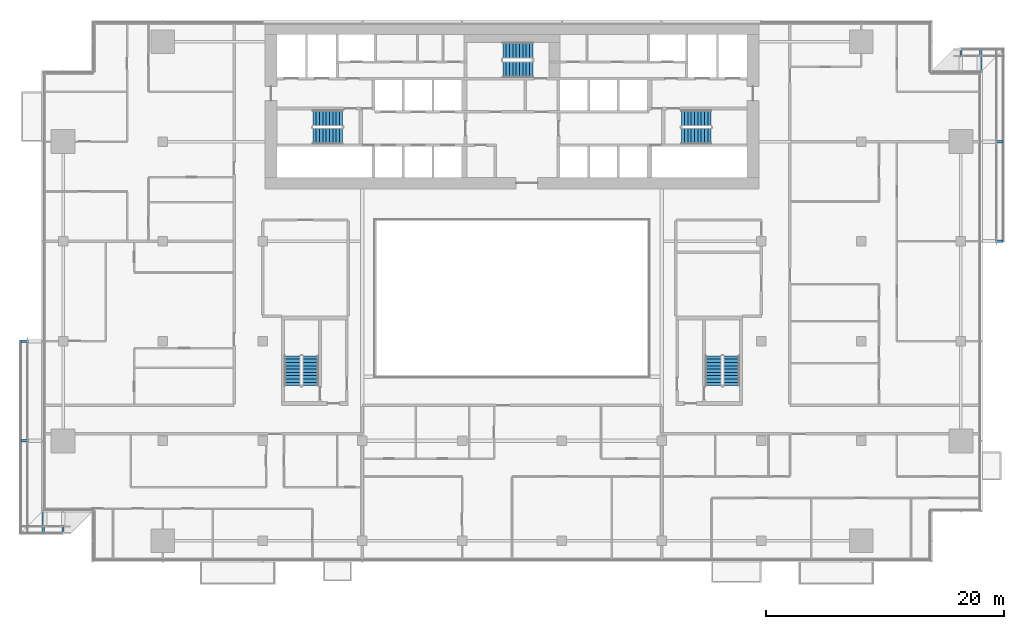
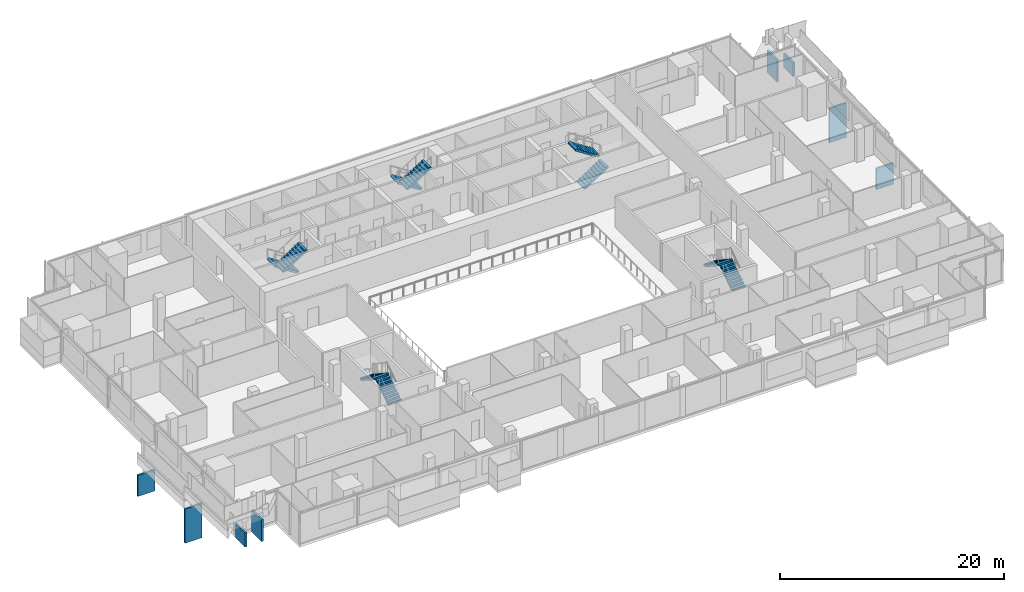
# One storey, part 25 of 29: 10 stair flights, 8 discrete accessories, 5 elements without a shape of their own.
"""IFC4 building model written with IfcOpenShell, lengths in metres."""

from ifc_helpers import new_model, si_unit, direction, frame, origin, origin_2d, place, context, subcontext, project, spatial, polyline, rectangle, outline, extrude, material, type_object, element, aggregate, save


model = new_model("IFC4")

# Units and contexts
model_context = context("Model", 3, precision=1e-05, world=origin(), true_north=direction((0.0, 1.0)))
body_context = subcontext(model_context, "Body", "Model", "MODEL_VIEW")
ifc_project = project(units=[si_unit("LENGTHUNIT", "METRE"), si_unit("AREAUNIT", "SQUARE_METRE"), si_unit("VOLUMEUNIT", "CUBIC_METRE"), si_unit("PLANEANGLEUNIT", "RADIAN"), si_unit("MASSUNIT", "GRAM", prefix="KILO")], contexts=[model_context])

# Site, building, storey
site_placement = place(None, origin())
site = spatial("IfcSite", under=ifc_project, at=site_placement, CompositionType="ELEMENT")
building_placement = place(site_placement, origin())
building = spatial("IfcBuilding", under=site, at=building_placement, Name="Saffron Gate Tower", CompositionType="ELEMENT")
storey_placement = place(building_placement, frame((0.0, 0.0, 113.25)))
storey = spatial("IfcBuildingStorey", under=building, at=storey_placement, Name="L26", CompositionType="ELEMENT", Elevation=113.25)

# Stair, stair flights
ifc_material = material(Name="Concrete C40", Category="concrete")
stair_type = type_object("IfcStairType", Name="ST7 Stair 1350 wide, 20 risers of 180", PredefinedType="HALF_TURN_STAIR", material=ifc_material)
stair_1_placement = place(storey_placement, origin())
stair_1 = element("IfcStair", 1, at=stair_1_placement, inside=storey, type_object=stair_type, Name="L26 Exit stair A", PredefinedType="HALF_TURN_STAIR")
stair_flight_type = type_object("IfcStairFlightType", Name="SF3 Stair flight 1350 wide, riser 180 going 280", PredefinedType="STRAIGHT", material=ifc_material)
stair_flight_1_placement = place(storey_placement, frame((73.35009765625, 67.375, 0.0), z_axis=(0.0, 0.0, 1.0), x_axis=(-1.0, 0.0, 0.0)))
stair_flight_1 = element("IfcStairFlight", 2, at=stair_flight_1_placement, type_object=stair_flight_type, Name="ST-A flight 1", NumberOfRisers=10, NumberOfTreads=9, PredefinedType="STRAIGHT", RiserHeight=0.18, TreadLength=0.28, context=body_context, shape_type="SweptSolid", body=[
    extrude(outline(polyline([(0.0, 0.0), (0.0, 0.179931640625), (0.280029296875, 0.179931640625), (0.280029296875, 0.360107421875), (0.56005859375, 0.360107421875), (0.56005859375, 0.5400390625), (0.840087890625, 0.5400390625), (0.840087890625, 0.719970703125), (1.1201171875, 0.719970703125), (1.1201171875, 0.89990234375), (1.39990234375, 0.89990234375), (1.39990234375, 1.080078125), (1.679931640625, 1.080078125), (1.679931640625, 1.260009765625), (1.9599609375, 1.260009765625), (1.9599609375, 1.43994140625), (2.239990234375, 1.43994140625), (2.239990234375, 1.6201171875), (2.52001953125, 1.6201171875), (2.52001953125, 1.800048828125), (2.52001953125, 1.44189453125), (0.277099609375, 0.0), (0.0, 0.0)])), frame((0.0, 0.675048828125, 0.0), z_axis=(0.0, -1.0, 0.0), x_axis=(1.0, 0.0, 0.0)), (0.0, 0.0, 1.0), 1.35009765625),
])
stair_flight_2_placement = place(storey_placement, frame((70.830078125, 65.875, 1.800048828125), z_axis=(0.0, 0.0, 1.0), x_axis=(1.0, 0.0, 0.0)))
stair_flight_2 = element("IfcStairFlight", 3, at=stair_flight_2_placement, type_object=stair_flight_type, Name="ST-A flight 2", NumberOfRisers=10, NumberOfTreads=9, PredefinedType="STRAIGHT", RiserHeight=0.18, TreadLength=0.28, context=body_context, shape_type="SweptSolid", body=[
    extrude(outline(polyline([(0.0, 0.0), (0.0, 0.179931640625), (0.280029296875, 0.179931640625), (0.280029296875, 0.360107421875), (0.56005859375, 0.360107421875), (0.56005859375, 0.5400390625), (0.840087890625, 0.5400390625), (0.840087890625, 0.719970703125), (1.1201171875, 0.719970703125), (1.1201171875, 0.89990234375), (1.39990234375, 0.89990234375), (1.39990234375, 1.080078125), (1.679931640625, 1.080078125), (1.679931640625, 1.260009765625), (1.9599609375, 1.260009765625), (1.9599609375, 1.43994140625), (2.239990234375, 1.43994140625), (2.239990234375, 1.6201171875), (2.52001953125, 1.6201171875), (2.52001953125, 1.800048828125), (2.52001953125, 1.44189453125), (0.277099609375, 0.0), (0.0, 0.0)])), frame((0.0, 0.675048828125, 0.0), z_axis=(0.0, -1.0, 0.0), x_axis=(1.0, 0.0, 0.0)), (0.0, 0.0, 1.0), 1.35009765625),
])
aggregate(stair_1, [stair_flight_1, stair_flight_2])

stair_2_placement = place(storey_placement, origin())
stair_2 = element("IfcStair", 4, at=stair_2_placement, inside=storey, type_object=stair_type, Name="L26 Exit stair B", PredefinedType="HALF_TURN_STAIR")
stair_flight_3_placement = place(storey_placement, frame((101.85009765625, 65.875, 0.0), z_axis=(0.0, 0.0, 1.0), x_axis=(1.0, 0.0, 0.0)))
stair_flight_3 = element("IfcStairFlight", 5, at=stair_flight_3_placement, type_object=stair_flight_type, Name="ST-B flight 1", NumberOfRisers=10, NumberOfTreads=9, PredefinedType="STRAIGHT", RiserHeight=0.18, TreadLength=0.28, context=body_context, shape_type="SweptSolid", body=[
    extrude(outline(polyline([(0.0, 0.0), (0.0, 0.179931640625), (0.280029296875, 0.179931640625), (0.280029296875, 0.360107421875), (0.56005859375, 0.360107421875), (0.56005859375, 0.5400390625), (0.840087890625, 0.5400390625), (0.840087890625, 0.719970703125), (1.1201171875, 0.719970703125), (1.1201171875, 0.89990234375), (1.39990234375, 0.89990234375), (1.39990234375, 1.080078125), (1.679931640625, 1.080078125), (1.679931640625, 1.260009765625), (1.9599609375, 1.260009765625), (1.9599609375, 1.43994140625), (2.239990234375, 1.43994140625), (2.239990234375, 1.6201171875), (2.52001953125, 1.6201171875), (2.52001953125, 1.800048828125), (2.52001953125, 1.44189453125), (0.277099609375, 0.0), (0.0, 0.0)])), frame((0.0, 0.675048828125, 0.0), z_axis=(0.0, -1.0, 0.0), x_axis=(1.0, 0.0, 0.0)), (0.0, 0.0, 1.0), 1.35009765625),
])
stair_flight_4_placement = place(storey_placement, frame((104.3701171875, 67.375, 1.800048828125), z_axis=(0.0, 0.0, 1.0), x_axis=(-1.0, 0.0, 0.0)))
stair_flight_4 = element("IfcStairFlight", 6, at=stair_flight_4_placement, type_object=stair_flight_type, Name="ST-B flight 2", NumberOfRisers=10, NumberOfTreads=9, PredefinedType="STRAIGHT", RiserHeight=0.18, TreadLength=0.28, context=body_context, shape_type="SweptSolid", body=[
    extrude(outline(polyline([(0.0, 0.0), (0.0, 0.179931640625), (0.280029296875, 0.179931640625), (0.280029296875, 0.360107421875), (0.56005859375, 0.360107421875), (0.56005859375, 0.5400390625), (0.840087890625, 0.5400390625), (0.840087890625, 0.719970703125), (1.1201171875, 0.719970703125), (1.1201171875, 0.89990234375), (1.39990234375, 0.89990234375), (1.39990234375, 1.080078125), (1.679931640625, 1.080078125), (1.679931640625, 1.260009765625), (1.9599609375, 1.260009765625), (1.9599609375, 1.43994140625), (2.239990234375, 1.43994140625), (2.239990234375, 1.6201171875), (2.52001953125, 1.6201171875), (2.52001953125, 1.800048828125), (2.52001953125, 1.44189453125), (0.277099609375, 0.0), (0.0, 0.0)])), frame((0.0, 0.675048828125, 0.0), z_axis=(0.0, -1.0, 0.0), x_axis=(1.0, 0.0, 0.0)), (0.0, 0.0, 1.0), 1.35009765625),
])
aggregate(stair_2, [stair_flight_3, stair_flight_4])

stair_3_placement = place(storey_placement, origin())
stair_3 = element("IfcStair", 7, at=stair_3_placement, inside=storey, type_object=stair_type, Name="L26 Exit stair C", PredefinedType="HALF_TURN_STAIR")
stair_flight_5_placement = place(storey_placement, frame((89.35009765625, 73.074951171875, 0.0), z_axis=(0.0, 0.0, 1.0), x_axis=(-1.0, 0.0, 0.0)))
stair_flight_5 = element("IfcStairFlight", 8, at=stair_flight_5_placement, type_object=stair_flight_type, Name="ST-C flight 1", NumberOfRisers=10, NumberOfTreads=9, PredefinedType="STRAIGHT", RiserHeight=0.18, TreadLength=0.28, context=body_context, shape_type="SweptSolid", body=[
    extrude(outline(polyline([(0.0, 0.0), (0.0, 0.179931640625), (0.280029296875, 0.179931640625), (0.280029296875, 0.360107421875), (0.56005859375, 0.360107421875), (0.56005859375, 0.5400390625), (0.840087890625, 0.5400390625), (0.840087890625, 0.719970703125), (1.1201171875, 0.719970703125), (1.1201171875, 0.89990234375), (1.39990234375, 0.89990234375), (1.39990234375, 1.080078125), (1.679931640625, 1.080078125), (1.679931640625, 1.260009765625), (1.9599609375, 1.260009765625), (1.9599609375, 1.43994140625), (2.239990234375, 1.43994140625), (2.239990234375, 1.6201171875), (2.52001953125, 1.6201171875), (2.52001953125, 1.800048828125), (2.52001953125, 1.44189453125), (0.277099609375, 0.0), (0.0, 0.0)])), frame((0.0, 0.675048828125, 0.0), z_axis=(0.0, -1.0, 0.0), x_axis=(1.0, 0.0, 0.0)), (0.0, 0.0, 1.0), 1.35009765625),
])
stair_flight_6_placement = place(storey_placement, frame((86.830078125, 71.47509765625, 1.800048828125), z_axis=(0.0, 0.0, 1.0), x_axis=(1.0, 0.0, 0.0)))
stair_flight_6 = element("IfcStairFlight", 9, at=stair_flight_6_placement, type_object=stair_flight_type, Name="ST-C flight 2", NumberOfRisers=10, NumberOfTreads=9, PredefinedType="STRAIGHT", RiserHeight=0.18, TreadLength=0.28, context=body_context, shape_type="SweptSolid", body=[
    extrude(outline(polyline([(0.0, 0.0), (0.0, 0.179931640625), (0.280029296875, 0.179931640625), (0.280029296875, 0.360107421875), (0.56005859375, 0.360107421875), (0.56005859375, 0.5400390625), (0.840087890625, 0.5400390625), (0.840087890625, 0.719970703125), (1.1201171875, 0.719970703125), (1.1201171875, 0.89990234375), (1.39990234375, 0.89990234375), (1.39990234375, 1.080078125), (1.679931640625, 1.080078125), (1.679931640625, 1.260009765625), (1.9599609375, 1.260009765625), (1.9599609375, 1.43994140625), (2.239990234375, 1.43994140625), (2.239990234375, 1.6201171875), (2.52001953125, 1.6201171875), (2.52001953125, 1.800048828125), (2.52001953125, 1.44189453125), (0.277099609375, 0.0), (0.0, 0.0)])), frame((0.0, 0.675048828125, 0.0), z_axis=(0.0, -1.0, 0.0), x_axis=(1.0, 0.0, 0.0)), (0.0, 0.0, 1.0), 1.35009765625),
])
aggregate(stair_3, [stair_flight_5, stair_flight_6])

stair_4_placement = place(storey_placement, origin())
stair_4 = element("IfcStair", 10, at=stair_4_placement, inside=storey, type_object=stair_type, Name="L26 Exit stair D", PredefinedType="HALF_TURN_STAIR")
stair_flight_7_placement = place(storey_placement, frame((70.625, 44.85009765625, 0.0), z_axis=(0.0, 0.0, 1.0), x_axis=(0.0, 1.0, 0.0)))
stair_flight_7 = element("IfcStairFlight", 11, at=stair_flight_7_placement, type_object=stair_flight_type, Name="ST-D flight 1", NumberOfRisers=10, NumberOfTreads=9, PredefinedType="STRAIGHT", RiserHeight=0.18, TreadLength=0.28, context=body_context, shape_type="SweptSolid", body=[
    extrude(outline(polyline([(0.0, 0.0), (0.0, 0.179931640625), (0.280029296875, 0.179931640625), (0.280029296875, 0.360107421875), (0.56005859375, 0.360107421875), (0.56005859375, 0.5400390625), (0.840087890625, 0.5400390625), (0.840087890625, 0.719970703125), (1.1201171875, 0.719970703125), (1.1201171875, 0.89990234375), (1.39990234375, 0.89990234375), (1.39990234375, 1.080078125), (1.679931640625, 1.080078125), (1.679931640625, 1.260009765625), (1.9599609375, 1.260009765625), (1.9599609375, 1.43994140625), (2.239990234375, 1.43994140625), (2.239990234375, 1.6201171875), (2.52001953125, 1.6201171875), (2.52001953125, 1.800048828125), (2.52001953125, 1.44189453125), (0.277099609375, 0.0), (0.0, 0.0)])), frame((0.0, 0.675048828125, 0.0), z_axis=(0.0, -1.0, 0.0), x_axis=(1.0, 0.0, 0.0)), (0.0, 0.0, 1.0), 1.35009765625),
])
stair_flight_8_placement = place(storey_placement, frame((69.125, 47.3701171875, 1.800048828125), z_axis=(0.0, 0.0, 1.0), x_axis=(0.0, -1.0, 0.0)))
stair_flight_8 = element("IfcStairFlight", 12, at=stair_flight_8_placement, type_object=stair_flight_type, Name="ST-D flight 2", NumberOfRisers=10, NumberOfTreads=9, PredefinedType="STRAIGHT", RiserHeight=0.18, TreadLength=0.28, context=body_context, shape_type="SweptSolid", body=[
    extrude(outline(polyline([(0.0, 0.0), (0.0, 0.179931640625), (0.280029296875, 0.179931640625), (0.280029296875, 0.360107421875), (0.56005859375, 0.360107421875), (0.56005859375, 0.5400390625), (0.840087890625, 0.5400390625), (0.840087890625, 0.719970703125), (1.1201171875, 0.719970703125), (1.1201171875, 0.89990234375), (1.39990234375, 0.89990234375), (1.39990234375, 1.080078125), (1.679931640625, 1.080078125), (1.679931640625, 1.260009765625), (1.9599609375, 1.260009765625), (1.9599609375, 1.43994140625), (2.239990234375, 1.43994140625), (2.239990234375, 1.6201171875), (2.52001953125, 1.6201171875), (2.52001953125, 1.800048828125), (2.52001953125, 1.44189453125), (0.277099609375, 0.0), (0.0, 0.0)])), frame((0.0, 0.675048828125, 0.0), z_axis=(0.0, -1.0, 0.0), x_axis=(1.0, 0.0, 0.0)), (0.0, 0.0, 1.0), 1.35009765625),
])
aggregate(stair_4, [stair_flight_7, stair_flight_8])

stair_5_placement = place(storey_placement, origin())
stair_5 = element("IfcStair", 13, at=stair_5_placement, inside=storey, type_object=stair_type, Name="L26 Exit stair E", PredefinedType="HALF_TURN_STAIR")
stair_flight_9_placement = place(storey_placement, frame((106.074951171875, 44.85009765625, 0.0), z_axis=(0.0, 0.0, 1.0), x_axis=(0.0, 1.0, 0.0)))
stair_flight_9 = element("IfcStairFlight", 14, at=stair_flight_9_placement, type_object=stair_flight_type, Name="ST-E flight 1", NumberOfRisers=10, NumberOfTreads=9, PredefinedType="STRAIGHT", RiserHeight=0.18, TreadLength=0.28, context=body_context, shape_type="SweptSolid", body=[
    extrude(outline(polyline([(0.0, 0.0), (0.0, 0.179931640625), (0.280029296875, 0.179931640625), (0.280029296875, 0.360107421875), (0.56005859375, 0.360107421875), (0.56005859375, 0.5400390625), (0.840087890625, 0.5400390625), (0.840087890625, 0.719970703125), (1.1201171875, 0.719970703125), (1.1201171875, 0.89990234375), (1.39990234375, 0.89990234375), (1.39990234375, 1.080078125), (1.679931640625, 1.080078125), (1.679931640625, 1.260009765625), (1.9599609375, 1.260009765625), (1.9599609375, 1.43994140625), (2.239990234375, 1.43994140625), (2.239990234375, 1.6201171875), (2.52001953125, 1.6201171875), (2.52001953125, 1.800048828125), (2.52001953125, 1.44189453125), (0.277099609375, 0.0), (0.0, 0.0)])), frame((0.0, 0.675048828125, 0.0), z_axis=(0.0, -1.0, 0.0), x_axis=(1.0, 0.0, 0.0)), (0.0, 0.0, 1.0), 1.35009765625),
])
stair_flight_10_placement = place(storey_placement, frame((104.574951171875, 47.3701171875, 1.800048828125), z_axis=(0.0, 0.0, 1.0), x_axis=(0.0, -1.0, 0.0)))
stair_flight_10 = element("IfcStairFlight", 15, at=stair_flight_10_placement, type_object=stair_flight_type, Name="ST-E flight 2", NumberOfRisers=10, NumberOfTreads=9, PredefinedType="STRAIGHT", RiserHeight=0.18, TreadLength=0.28, context=body_context, shape_type="SweptSolid", body=[
    extrude(outline(polyline([(0.0, 0.0), (0.0, 0.179931640625), (0.280029296875, 0.179931640625), (0.280029296875, 0.360107421875), (0.56005859375, 0.360107421875), (0.56005859375, 0.5400390625), (0.840087890625, 0.5400390625), (0.840087890625, 0.719970703125), (1.1201171875, 0.719970703125), (1.1201171875, 0.89990234375), (1.39990234375, 0.89990234375), (1.39990234375, 1.080078125), (1.679931640625, 1.080078125), (1.679931640625, 1.260009765625), (1.9599609375, 1.260009765625), (1.9599609375, 1.43994140625), (2.239990234375, 1.43994140625), (2.239990234375, 1.6201171875), (2.52001953125, 1.6201171875), (2.52001953125, 1.800048828125), (2.52001953125, 1.44189453125), (0.277099609375, 0.0), (0.0, 0.0)])), frame((0.0, 0.675048828125, 0.0), z_axis=(0.0, -1.0, 0.0), x_axis=(1.0, 0.0, 0.0)), (0.0, 0.0, 1.0), 1.35009765625),
])
aggregate(stair_5, [stair_flight_9, stair_flight_10])

# Discrete accessories
discrete_accessory_1_placement = place(storey_placement, frame((128.074951171875, 57.0, -3.8798828125), z_axis=(0.0, 0.0, 1.0), x_axis=(0.0, 1.0, 0.0)))
element("IfcDiscreteAccessory", 16, at=discrete_accessory_1_placement, inside=storey, Name="LEDGE rib", PredefinedType="BRACKET", context=body_context, shape_type="SweptSolid", body=[
    extrude(rectangle(XDim=0.199951171875, YDim=1.75, at=origin_2d()), origin(), (0.0, 0.0, 1.0), 2.293701171875),
])
discrete_accessory_2_placement = place(storey_placement, frame((128.074951171875, 65.39990234375, -3.8798828125), z_axis=(0.0, 0.0, 1.0), x_axis=(0.0, 1.0, 0.0)))
element("IfcDiscreteAccessory", 17, at=discrete_accessory_2_placement, inside=storey, Name="LEDGE rib", PredefinedType="BRACKET", context=body_context, shape_type="SweptSolid", body=[
    extrude(rectangle(XDim=0.199951171875, YDim=1.75, at=origin_2d()), origin(), (0.0, 0.0, 1.0), 3.736083984375),
])
discrete_accessory_3_placement = place(storey_placement, frame((127.080078125, 72.27490234375, -0.280029296875), z_axis=(0.0, 0.0, 1.0), x_axis=(-1.0, 0.0, 0.0)))
element("IfcDiscreteAccessory", 18, at=discrete_accessory_3_placement, inside=storey, Name="LEDGE rib", PredefinedType="BRACKET", context=body_context, shape_type="SweptSolid", body=[
    extrude(rectangle(XDim=0.199951171875, YDim=1.75, at=origin_2d()), origin(), (0.0, 0.0, 1.0), 1.50927734375),
])
discrete_accessory_4_placement = place(storey_placement, frame((125.39990234375, 72.27490234375, -0.280029296875), z_axis=(0.0, 0.0, 1.0), x_axis=(-1.0, 0.0, 0.0)))
element("IfcDiscreteAccessory", 19, at=discrete_accessory_4_placement, inside=storey, Name="LEDGE rib", PredefinedType="BRACKET", context=body_context, shape_type="SweptSolid", body=[
    extrude(rectangle(XDim=0.199951171875, YDim=1.75, at=origin_2d()), origin(), (0.0, 0.0, 1.0), 2.41845703125),
])
discrete_accessory_5_placement = place(storey_placement, frame((47.125, 48.60009765625, -3.8798828125), z_axis=(0.0, 0.0, 1.0), x_axis=(0.0, -1.0, 0.0)))
element("IfcDiscreteAccessory", 20, at=discrete_accessory_5_placement, inside=storey, Name="LEDGE rib", PredefinedType="BRACKET", context=body_context, shape_type="SweptSolid", body=[
    extrude(rectangle(XDim=0.199951171875, YDim=1.75, at=origin_2d()), origin(), (0.0, 0.0, 1.0), 2.293701171875),
])
discrete_accessory_6_placement = place(storey_placement, frame((47.125, 40.199951171875, -3.8798828125), z_axis=(0.0, 0.0, 1.0), x_axis=(0.0, -1.0, 0.0)))
element("IfcDiscreteAccessory", 21, at=discrete_accessory_6_placement, inside=storey, Name="LEDGE rib", PredefinedType="BRACKET", context=body_context, shape_type="SweptSolid", body=[
    extrude(rectangle(XDim=0.199951171875, YDim=1.75, at=origin_2d()), origin(), (0.0, 0.0, 1.0), 3.736083984375),
])
discrete_accessory_7_placement = place(storey_placement, frame((48.1201171875, 33.324951171875, -0.280029296875), z_axis=(0.0, 0.0, 1.0), x_axis=(1.0, 0.0, 0.0)))
element("IfcDiscreteAccessory", 22, at=discrete_accessory_7_placement, inside=storey, Name="LEDGE rib", PredefinedType="BRACKET", context=body_context, shape_type="SweptSolid", body=[
    extrude(rectangle(XDim=0.199951171875, YDim=1.75, at=origin_2d()), origin(), (0.0, 0.0, 1.0), 1.50927734375),
])
discrete_accessory_8_placement = place(storey_placement, frame((49.800048828125, 33.324951171875, -0.280029296875), z_axis=(0.0, 0.0, 1.0), x_axis=(1.0, 0.0, 0.0)))
element("IfcDiscreteAccessory", 23, at=discrete_accessory_8_placement, inside=storey, Name="LEDGE rib", PredefinedType="BRACKET", context=body_context, shape_type="SweptSolid", body=[
    extrude(rectangle(XDim=0.199951171875, YDim=1.75, at=origin_2d()), origin(), (0.0, 0.0, 1.0), 2.41845703125),
])

save(model, "model.ifc")
